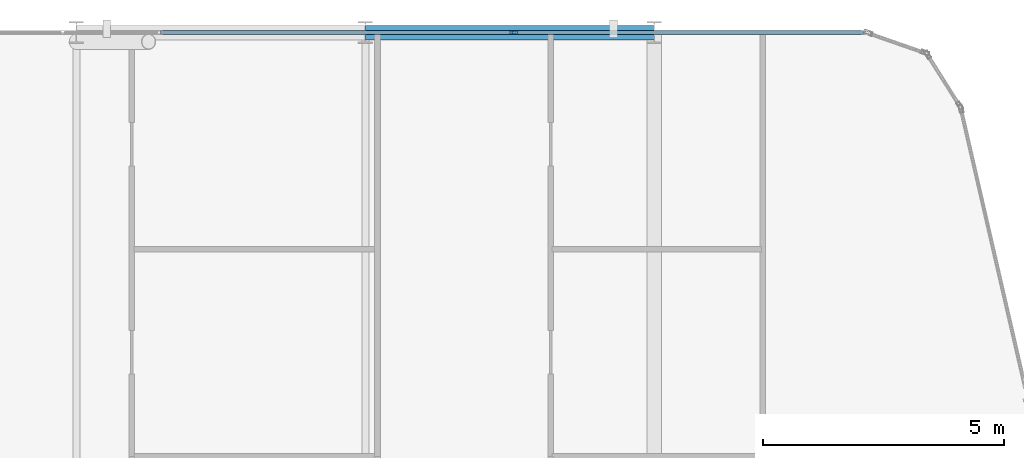
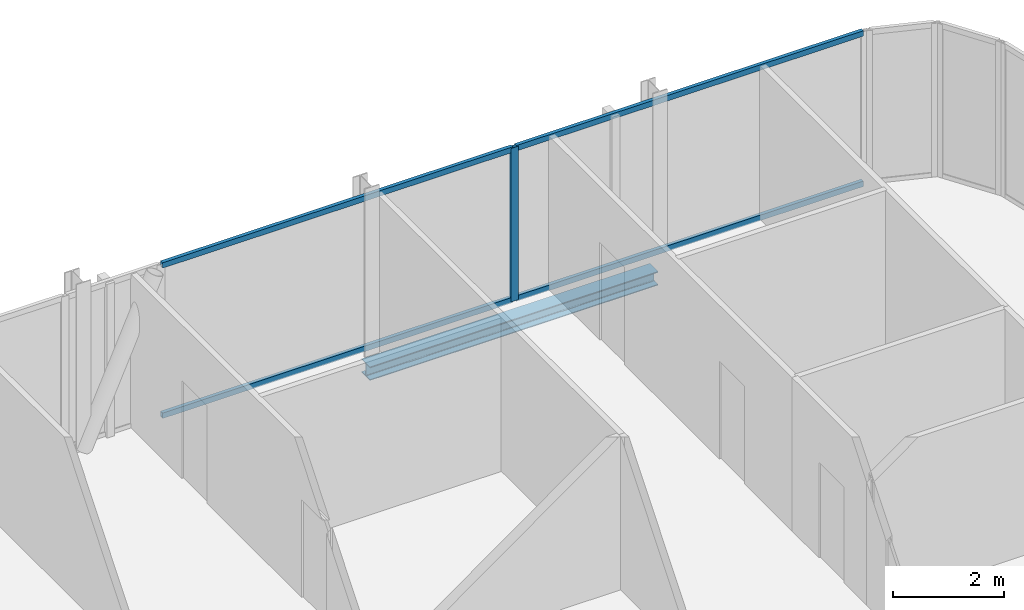
# One storey, part 19 of 29: 5 members, 1 beam, 1 element without a shape of its own.
"""IFC4 building model written with IfcOpenShell, lengths in metres."""

from ifc_helpers import new_model, si_unit, direction, frame, origin, origin_2d, place, context, subcontext, project, spatial, hollow_rectangle, i_section, extrude, material, layer, layer_set, material_profile, profile_set, type_object, element, aggregate, save


model = new_model("IFC4")

# Units and contexts
model_context = context("Model", 3, precision=1e-05, world=origin(), true_north=direction((0.0, 1.0)))
body_context = subcontext(model_context, "Body", "Model", "MODEL_VIEW")
ifc_project = project(units=[si_unit("LENGTHUNIT", "METRE"), si_unit("AREAUNIT", "SQUARE_METRE"), si_unit("VOLUMEUNIT", "CUBIC_METRE"), si_unit("PLANEANGLEUNIT", "RADIAN"), si_unit("MASSUNIT", "GRAM", prefix="KILO")], contexts=[model_context])

# Site, building, storey
site_placement = place(None, origin())
site = spatial("IfcSite", under=ifc_project, at=site_placement, CompositionType="ELEMENT")
building_placement = place(site_placement, origin())
building = spatial("IfcBuilding", under=site, at=building_placement, Name="Keshet Zoharim Tower", CompositionType="ELEMENT")
storey_placement = place(building_placement, frame((0.0, 0.0, 180.199951171875)))
storey = spatial("IfcBuildingStorey", under=building, at=storey_placement, Name="L44", CompositionType="ELEMENT", Elevation=180.199951171875)

# Beam
ifc_material_1 = material(Name="Steel S355", Category="steel")
ifc_material_profile_1 = material_profile(ifc_material_1, i_section(OverallWidth=0.300048828125, OverallDepth=0.300048828125, WebThickness=0.010986328125, FlangeThickness=0.01904296875, FilletRadius=0.027099609375, at=origin_2d()), Name="HEB300")
ifc_profile_set_1 = profile_set([ifc_material_profile_1], Name="Steel S355")
beam_type = type_object("IfcBeamType", Name="BM-PRI-HB300", PredefinedType="BEAM", material=ifc_profile_set_1)
beam_placement = place(storey_placement, frame((27.0, 53.89990234375, -0.4599609375), z_axis=(1.0, 0.0, 0.0), x_axis=(0.0, 1.0, 0.0)))
element("IfcBeam", 1, at=beam_placement, inside=storey, type_object=beam_type, Name="L44 Primary Girder X-020", PredefinedType="BEAM", context=body_context, shape_type="SweptSolid", body=[
    extrude(i_section(OverallWidth=0.300048828125, OverallDepth=0.300048828125, WebThickness=0.010986328125, FlangeThickness=0.01904296875, FilletRadius=0.027099609375, at=origin_2d()), origin(), (0.0, 0.0, 1.0), 6.0),
])

# Curtain wall, members
ifc_material_2 = material(Name="Aluminium 6063-T6", Category="aluminium")
ifc_layer = layer(ifc_material_2, 0.139892578125)
ifc_layer_set = layer_set([ifc_layer], Name="Aluminium 6063-T6")
curtain_wall_type = type_object("IfcCurtainWallType", Name="CW-SYS-05", PredefinedType="NOTDEFINED", material=ifc_layer_set)
curtain_wall_placement = place(storey_placement, origin())
curtain_wall = element("IfcCurtainWall", 2, at=curtain_wall_placement, inside=storey, type_object=curtain_wall_type, Name="L44 Unitised Curtain Wall 16 Part 3", PredefinedType="NOTDEFINED")
ifc_material_profile_2 = material_profile(ifc_material_2, hollow_rectangle(XDim=0.074951171875, YDim=0.159912109375, WallThickness=0.00390625, at=origin_2d()), Name="MUL-75x160")
ifc_profile_set_2 = profile_set([ifc_material_profile_2], Name="Aluminium 6063-T6")
member_type_1 = type_object("IfcMemberType", Name="CWM-M15", PredefinedType="MULLION", material=ifc_profile_set_2)
member_1_placement = place(storey_placement, frame((30.07861328125, 53.89990234375, 0.0), z_axis=(0.0, 0.0, 1.0), x_axis=(0.0, 1.0, 0.0)))
member_1 = element("IfcMember", 3, at=member_1_placement, type_object=member_type_1, Name="CW-05 mullion 2", PredefinedType="MULLION", context=body_context, shape_type="SweptSolid", body=[
    extrude(hollow_rectangle(XDim=0.074951171875, YDim=0.159912109375, WallThickness=0.00390625, at=origin_2d()), origin(), (0.0, 0.0, 1.0), 3.380126953125),
])
ifc_material_profile_3 = material_profile(ifc_material_2, hollow_rectangle(XDim=0.074951171875, YDim=0.1201171875, WallThickness=0.00390625, at=origin_2d()), Name="TRN-75x120")
ifc_profile_set_3 = profile_set([ifc_material_profile_3], Name="Aluminium 6063-T6")
member_type_2 = type_object("IfcMemberType", Name="CWT-T12", PredefinedType="USERDEFINED", material=ifc_profile_set_3)
member_2_placement = place(storey_placement, frame((22.748046875, 53.89990234375, 0.03515625), z_axis=(1.0, 0.0, 0.0), x_axis=(0.0, 1.0, 0.0)))
member_2 = element("IfcMember", 4, at=member_2_placement, type_object=member_type_2, Name="CW-05 transom 1.1", ObjectType="TRANSOM", PredefinedType="USERDEFINED", context=body_context, shape_type="SweptSolid", body=[
    extrude(hollow_rectangle(XDim=0.074951171875, YDim=0.1201171875, WallThickness=0.00390625, at=origin_2d()), origin(), (0.0, 0.0, 1.0), 7.29541015625),
])
member_3_placement = place(storey_placement, frame((22.748046875, 53.89990234375, 3.344970703125), z_axis=(1.0, 0.0, 0.0), x_axis=(0.0, 1.0, 0.0)))
member_3 = element("IfcMember", 5, at=member_3_placement, type_object=member_type_2, Name="CW-05 transom 1.2", ObjectType="TRANSOM", PredefinedType="USERDEFINED", context=body_context, shape_type="SweptSolid", body=[
    extrude(hollow_rectangle(XDim=0.074951171875, YDim=0.1201171875, WallThickness=0.00390625, at=origin_2d()), origin(), (0.0, 0.0, 1.0), 7.29541015625),
])
member_4_placement = place(storey_placement, frame((30.113525390625, 53.89990234375, 0.03515625), z_axis=(1.0, 0.0, 0.0), x_axis=(0.0, 1.0, 0.0)))
member_4 = element("IfcMember", 6, at=member_4_placement, type_object=member_type_2, Name="CW-05 transom 2.1", ObjectType="TRANSOM", PredefinedType="USERDEFINED", context=body_context, shape_type="SweptSolid", body=[
    extrude(hollow_rectangle(XDim=0.074951171875, YDim=0.1201171875, WallThickness=0.00390625, at=origin_2d()), origin(), (0.0, 0.0, 1.0), 7.2255859375),
])
member_5_placement = place(storey_placement, frame((30.113525390625, 53.89990234375, 3.344970703125), z_axis=(1.0, 0.0, 0.0), x_axis=(0.0, 1.0, 0.0)))
member_5 = element("IfcMember", 7, at=member_5_placement, type_object=member_type_2, Name="CW-05 transom 2.2", ObjectType="TRANSOM", PredefinedType="USERDEFINED", context=body_context, shape_type="SweptSolid", body=[
    extrude(hollow_rectangle(XDim=0.074951171875, YDim=0.1201171875, WallThickness=0.00390625, at=origin_2d()), origin(), (0.0, 0.0, 1.0), 7.2255859375),
])
aggregate(curtain_wall, [member_1, member_2, member_3, member_4, member_5])

save(model, "model.ifc")
